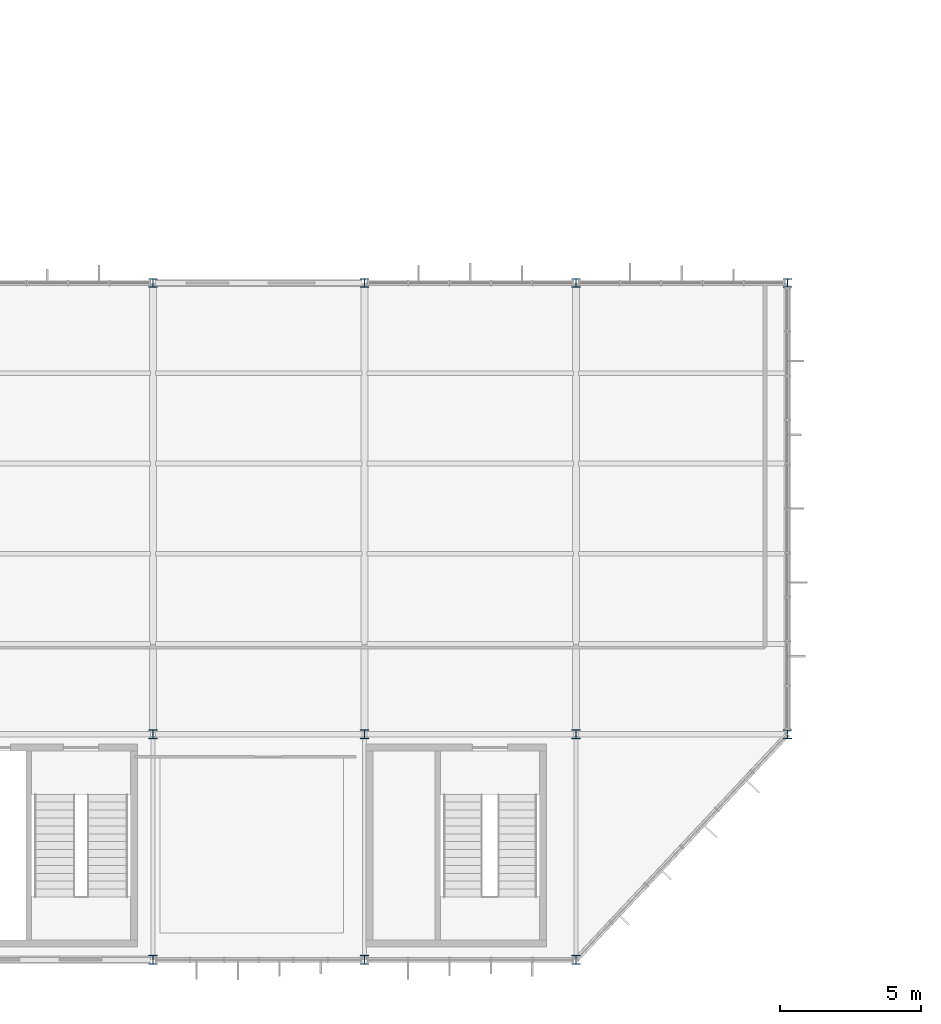
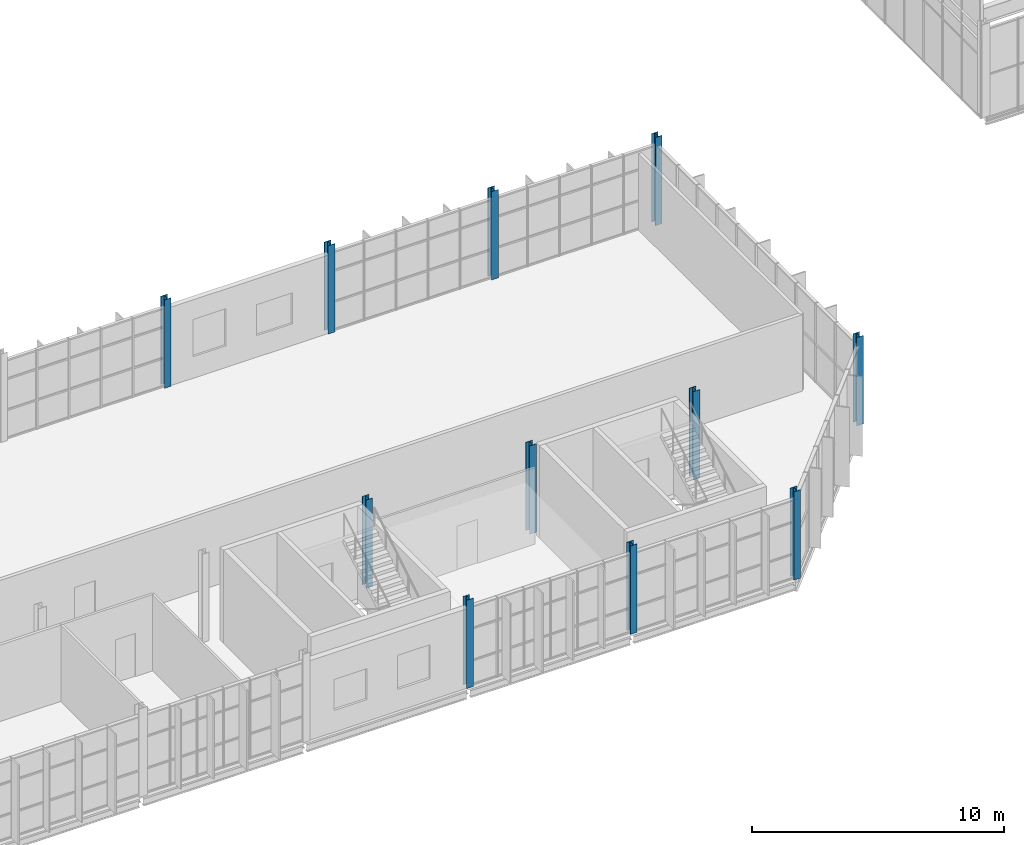
# One storey, part 5 of 324: 11 columns.
"""IFC4 building model written with IfcOpenShell, lengths in metres."""

from ifc_helpers import new_model, si_unit, direction, frame, origin, origin_2d, place, context, subcontext, project, spatial, i_section, extrude, material, material_profile, profile_set, type_object, element, save


model = new_model("IFC4")

# Units and contexts
model_context = context("Model", 3, precision=1e-05, world=origin(), true_north=direction((0.0, 1.0)))
body_context = subcontext(model_context, "Body", "Model", "MODEL_VIEW")
ifc_project = project(units=[si_unit("LENGTHUNIT", "METRE"), si_unit("AREAUNIT", "SQUARE_METRE"), si_unit("VOLUMEUNIT", "CUBIC_METRE"), si_unit("PLANEANGLEUNIT", "RADIAN"), si_unit("MASSUNIT", "GRAM", prefix="KILO")], contexts=[model_context])

# Site, building, storey
site_placement = place(None, origin())
site = spatial("IfcSite", under=ifc_project, at=site_placement, CompositionType="ELEMENT")
building_placement = place(site_placement, origin())
building = spatial("IfcBuilding", under=site, at=building_placement, Name="Solvenia Promenade Tram Depot", CompositionType="ELEMENT")
storey_placement = place(building_placement, frame((0.0, 0.0, 4.5)))
storey = spatial("IfcBuildingStorey", under=building, at=storey_placement, Name="L01", CompositionType="ELEMENT", Elevation=4.5)

# Columns
ifc_material = material(Name="Structural steel ASTM A992 Gr. 50", Category="steel")
ifc_material_profile = material_profile(ifc_material, i_section(OverallWidth=0.306884765625, OverallDepth=0.31396484375, WebThickness=0.011962890625, FlangeThickness=0.018798828125, FilletRadius=0.014892578125, at=origin_2d()), Name="W310x117", Category="steel")
ifc_profile_set = profile_set([ifc_material_profile], Name="Structural steel ASTM A992 Gr. 50")
column_type = type_object("IfcColumnType", Name="Col-W310x117", PredefinedType="COLUMN", material=ifc_profile_set)
for number, where, z_axis, x_axis, name in (
    (1, (67.5, 0.0, 0.0), (0.0, 0.0, 1.0), (1.0, 0.0, 0.0), "Steel Column COL-L01-150"),
    (2, (67.5, 8.0, 0.0), (0.0, 0.0, 1.0), (1.0, 0.0, 0.0), "Steel Column COL-L01-152"),
    (3, (67.5, 24.0, 0.0), (0.0, 0.0, 1.0), (1.0, 0.0, 0.0), "Steel Column COL-L01-154"),
    (4, (75.0, 0.0, 0.0), (0.0, 0.0, 1.0), (1.0, 0.0, 0.0), "Steel Column COL-L01-161"),
    (5, (75.0, 8.0, 0.0), (0.0, 0.0, 1.0), (1.0, 0.0, 0.0), "Steel Column COL-L01-163"),
    (6, (75.0, 24.0, 0.0), (0.0, 0.0, 1.0), (1.0, 0.0, 0.0), "Steel Column COL-L01-165"),
    (7, (82.5, 0.0, 0.0), (0.0, 0.0, 1.0), (1.0, 0.0, 0.0), "Steel Column COL-L01-172"),
    (8, (82.5, 8.0, 0.0), (0.0, 0.0, 1.0), (1.0, 0.0, 0.0), "Steel Column COL-L01-174"),
    (9, (82.5, 24.0, 0.0), (0.0, 0.0, 1.0), (1.0, 0.0, 0.0), "Steel Column COL-L01-176"),
    (10, (90.0, 8.0, 0.0), (0.0, 0.0, 1.0), (1.0, 0.0, 0.0), "Steel Column COL-L01-183"),
    (11, (90.0, 24.0, 0.0), (0.0, 0.0, 1.0), (1.0, 0.0, 0.0), "Steel Column COL-L01-185"),
):
    element("IfcColumn", number, at=place(storey_placement, frame(where, z_axis=z_axis, x_axis=x_axis)), inside=storey, type_object=column_type, Name=name, PredefinedType="COLUMN", context=body_context, shape_type="SweptSolid", body=[
        extrude(i_section(OverallWidth=0.306884765625, OverallDepth=0.31396484375, WebThickness=0.011962890625, FlangeThickness=0.018798828125, FilletRadius=0.014892578125, at=origin_2d()), origin(), (0.0, 0.0, 1.0), 4.280029296875),
    ])

save(model, "model.ifc")
